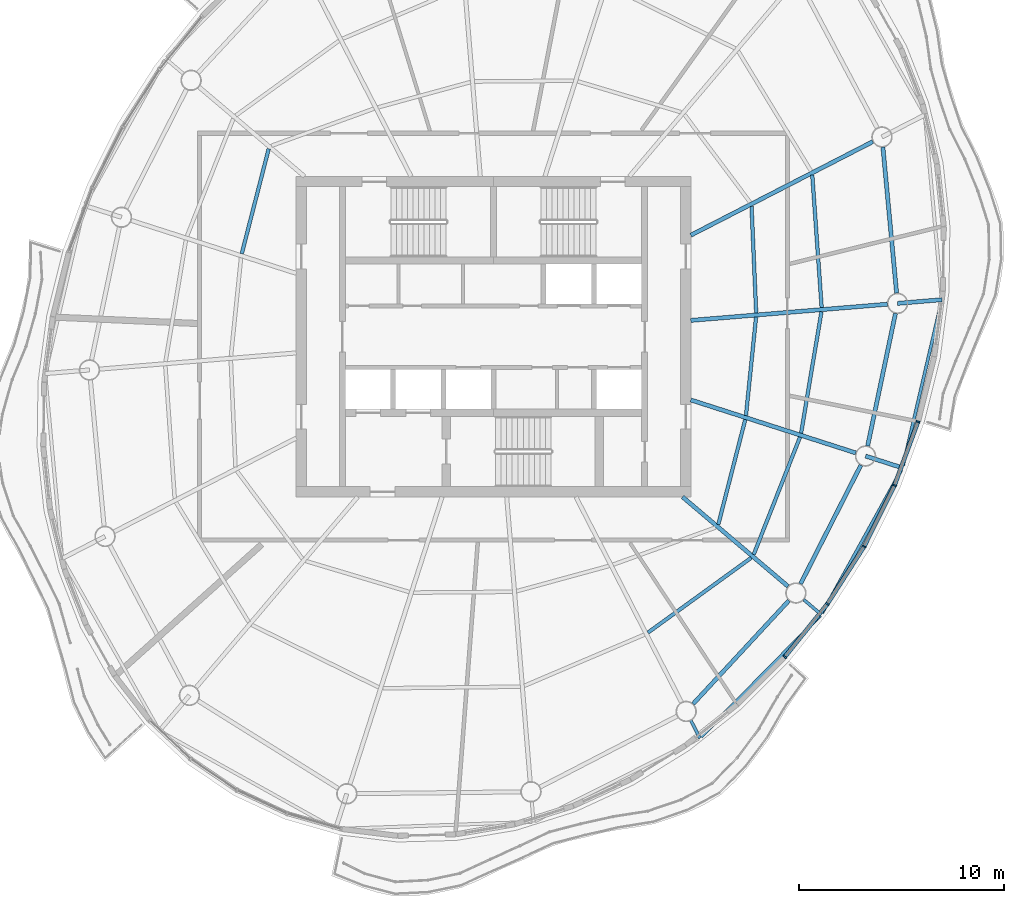
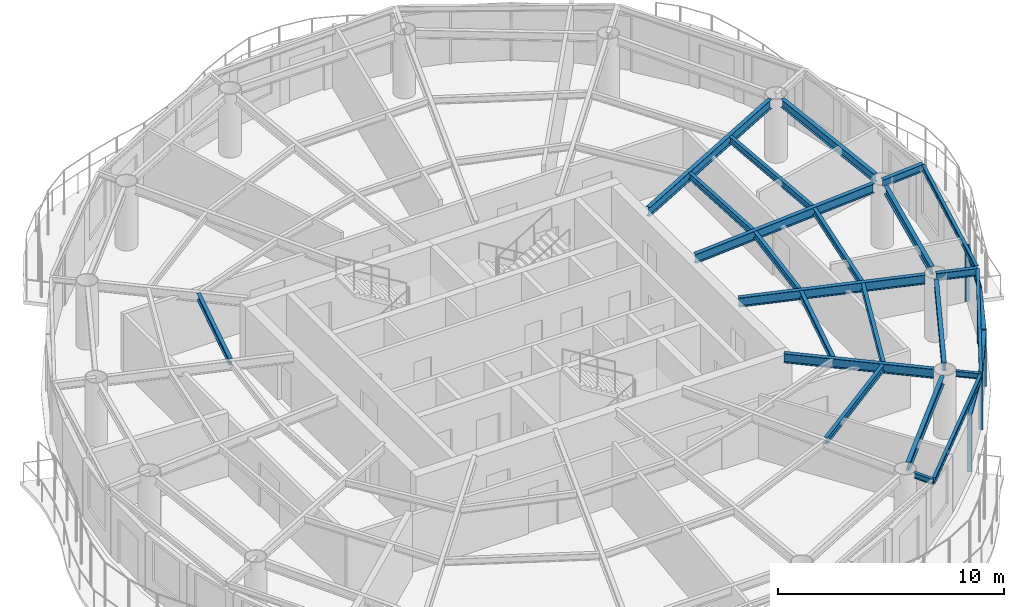
# One storey, part 3 of 13: 23 beams, 9 members, 4 elements without a shape of their own.
"""IFC4 building model written with IfcOpenShell, lengths in metres."""

from ifc_helpers import new_model, si_unit, direction, frame, origin, origin_2d, place, context, subcontext, project, spatial, rectangle, i_section, extrude, material, material_profile, profile_set, type_object, element, aggregate, save


model = new_model("IFC4")

# Units and contexts
model_context = context("Model", 3, precision=1e-05, world=origin(), true_north=direction((0.0, 1.0)))
body_context = subcontext(model_context, "Body", "Model", "MODEL_VIEW")
ifc_project = project(units=[si_unit("LENGTHUNIT", "METRE"), si_unit("AREAUNIT", "SQUARE_METRE"), si_unit("VOLUMEUNIT", "CUBIC_METRE"), si_unit("PLANEANGLEUNIT", "RADIAN"), si_unit("MASSUNIT", "GRAM", prefix="KILO")], contexts=[model_context])

# Site, building, storey
site_placement = place(None, origin())
site = spatial("IfcSite", under=ifc_project, at=site_placement, CompositionType="ELEMENT")
building_placement = place(site_placement, origin())
building = spatial("IfcBuilding", under=site, at=building_placement, Name="Vermilion Reach Broadcast Tower", CompositionType="ELEMENT")
storey_placement = place(building_placement, frame((0.0, 0.0, 275.699951171875)))
storey = spatial("IfcBuildingStorey", under=building, at=storey_placement, Name="L68", CompositionType="ELEMENT", Elevation=275.699951171875)

# Beams
ifc_material_1 = material(Name="Steel S355J2", Category="steel")
ifc_material_profile_1 = material_profile(ifc_material_1, i_section(OverallWidth=0.14990234375, OverallDepth=0.300048828125, WebThickness=0.006591796875, FlangeThickness=0.009033203125, at=origin_2d()), Name="S355J2 HN 300x150x6.5x9")
ifc_profile_set_1 = profile_set([ifc_material_profile_1], Name="Steel S355J2")
beam_type_1 = type_object("IfcBeamType", Name="EB5 HN 300x150x6.5x9", PredefinedType="BEAM", material=ifc_profile_set_1)
beam_1_placement = place(storey_placement, frame((4.10205078125, -19.48388671875, 3.300048828125), z_axis=(0.701048969019, 0.713113134809, 0.0), x_axis=(-0.713113134809, 0.701048969019, 0.0)))
element("IfcBeam", 1, at=beam_1_placement, inside=storey, type_object=beam_type_1, Name="Edge beam EB5-11", PredefinedType="BEAM", context=body_context, shape_type="SweptSolid", body=[
    extrude(i_section(OverallWidth=0.14990234375, OverallDepth=0.300048828125, WebThickness=0.006591796875, FlangeThickness=0.009033203125, at=origin_2d()), origin(), (0.0, 0.0, 1.0), 8.27685546875),
])
beam_2_placement = place(storey_placement, frame((9.994140625, -13.4609375, 3.300048828125), z_axis=(0.484141112457, 0.874989933216, 0.0), x_axis=(-0.874989933216, 0.484141112457, 0.0)))
element("IfcBeam", 2, at=beam_2_placement, inside=storey, type_object=beam_type_1, Name="Edge beam EB5-12", PredefinedType="BEAM", context=body_context, shape_type="SweptSolid", body=[
    extrude(i_section(OverallWidth=0.14990234375, OverallDepth=0.300048828125, WebThickness=0.006591796875, FlangeThickness=0.009033203125, at=origin_2d()), origin(), (0.0, 0.0, 1.0), 7.981689453125),
])
beam_3_placement = place(storey_placement, frame((13.9306640625, -6.290283203125, 3.300048828125), z_axis=(0.227615436944, 0.973751104166, 0.0), x_axis=(-0.973751104166, 0.227615436944, 0.0)))
element("IfcBeam", 3, at=beam_3_placement, inside=storey, type_object=beam_type_1, Name="Edge beam EB5-13", PredefinedType="BEAM", context=body_context, shape_type="SweptSolid", body=[
    extrude(i_section(OverallWidth=0.14990234375, OverallDepth=0.300048828125, WebThickness=0.006591796875, FlangeThickness=0.009033203125, at=origin_2d()), origin(), (0.0, 0.0, 1.0), 8.201171875),
])
ifc_material_2 = material(Name="Steel S355J2", Category="steel")
ifc_material_profile_2 = material_profile(ifc_material_2, i_section(OverallWidth=0.199951171875, OverallDepth=0.5, WebThickness=0.010009765625, FlangeThickness=0.01611328125, at=origin_2d()), Name="S355J2 HN 500x200x10x16")
ifc_profile_set_2 = profile_set([ifc_material_profile_2], Name="Steel S355J2")
beam_type_2 = type_object("IfcBeamType", Name="G5 HN 500x200x10x16", PredefinedType="BEAM", material=ifc_profile_set_2)
beam_4_placement = place(storey_placement, frame((3.20068359375, -7.800048828125, 3.199951171875), z_axis=(0.762793125612, -0.646642596431, 0.0), x_axis=(0.646642596431, 0.762793125612, 0.0)))
element("IfcBeam", 4, at=beam_4_placement, inside=storey, type_object=beam_type_2, Name="Girder G5-12", PredefinedType="BEAM", context=body_context, shape_type="SweptSolid", body=[
    extrude(i_section(OverallWidth=0.199951171875, OverallDepth=0.5, WebThickness=0.010009765625, FlangeThickness=0.01611328125, at=origin_2d()), origin(), (0.0, 0.0, 1.0), 6.732421875),
])
beam_5_placement = place(storey_placement, frame((3.60009765625, -3.080322265625, 3.199951171875), z_axis=(0.952178453449, -0.305542456604, 0.0), x_axis=(0.305542456604, 0.952178453449, 0.0)))
element("IfcBeam", 5, at=beam_5_placement, inside=storey, type_object=beam_type_2, Name="Girder G5-13", PredefinedType="BEAM", context=body_context, shape_type="SweptSolid", body=[
    extrude(i_section(OverallWidth=0.199951171875, OverallDepth=0.5, WebThickness=0.010009765625, FlangeThickness=0.01611328125, at=origin_2d()), origin(), (0.0, 0.0, 1.0), 8.43310546875),
])
beam_6_placement = place(storey_placement, frame((3.60009765625, 0.791015625, 3.199951171875), z_axis=(0.996624410075, 0.082096195058, 0.0), x_axis=(-0.082096195058, 0.996624410075, 0.0)))
element("IfcBeam", 6, at=beam_6_placement, inside=storey, type_object=beam_type_2, Name="Girder G5-14", PredefinedType="BEAM", context=body_context, shape_type="SweptSolid", body=[
    extrude(i_section(OverallWidth=0.199951171875, OverallDepth=0.5, WebThickness=0.010009765625, FlangeThickness=0.01611328125, at=origin_2d()), origin(), (0.0, 0.0, 1.0), 9.599609375),
])
beam_7_placement = place(storey_placement, frame((3.60009765625, 4.935791015625, 3.199951171875), z_axis=(0.889332502449, 0.457261085254, 0.0), x_axis=(-0.457261085254, 0.889332502449, 0.0)))
element("IfcBeam", 7, at=beam_7_placement, inside=storey, type_object=beam_type_2, Name="Girder G5-15", PredefinedType="BEAM", context=body_context, shape_type="SweptSolid", body=[
    extrude(i_section(OverallWidth=0.199951171875, OverallDepth=0.5, WebThickness=0.010009765625, FlangeThickness=0.01611328125, at=origin_2d()), origin(), (0.0, 0.0, 1.0), 9.96337890625),
])
ifc_material_3 = material(Name="Steel S355J2", Category="steel")
ifc_material_profile_3 = material_profile(ifc_material_3, i_section(OverallWidth=0.199951171875, OverallDepth=0.39990234375, WebThickness=0.008056640625, FlangeThickness=0.012939453125, at=origin_2d()), Name="S355J2 HN 400x200x8x13")
ifc_profile_set_3 = profile_set([ifc_material_profile_3], Name="Steel S355J2")
beam_type_3 = type_object("IfcBeamType", Name="GC5 HN 400x200x8x13", PredefinedType="BEAM", material=ifc_profile_set_3)
beam_8_placement = place(storey_placement, frame((12.10595703125, -5.809814453125, 3.25), z_axis=(0.952196201067, -0.305487143223, 0.0), x_axis=(0.305487143223, 0.952196201067, 0.0)))
element("IfcBeam", 8, at=beam_8_placement, inside=storey, type_object=beam_type_3, Name="Cantilever girder GC5-13", PredefinedType="BEAM", context=body_context, shape_type="SweptSolid", body=[
    extrude(i_section(OverallWidth=0.199951171875, OverallDepth=0.39990234375, WebThickness=0.008056640625, FlangeThickness=0.012939453125, at=origin_2d()), origin(), (0.0, 0.0, 1.0), 1.892578125),
])
beam_9_placement = place(storey_placement, frame((13.665771484375, 1.620361328125, 3.25), z_axis=(0.996627016966, 0.082064542002, 0.0), x_axis=(-0.082064542002, 0.996627016966, 0.0)))
element("IfcBeam", 9, at=beam_9_placement, inside=storey, type_object=beam_type_3, Name="Cantilever girder GC5-14", PredefinedType="BEAM", context=body_context, shape_type="SweptSolid", body=[
    extrude(i_section(OverallWidth=0.199951171875, OverallDepth=0.39990234375, WebThickness=0.008056640625, FlangeThickness=0.012939453125, at=origin_2d()), origin(), (0.0, 0.0, 1.0), 2.162841796875),
])
ifc_material_4 = material(Name="Steel S355J2", Category="steel")
ifc_material_profile_4 = material_profile(ifc_material_4, i_section(OverallWidth=0.14990234375, OverallDepth=0.300048828125, WebThickness=0.006591796875, FlangeThickness=0.009033203125, at=origin_2d()), Name="S355J2 HN 300x150x6.5x9")
ifc_profile_set_4 = profile_set([ifc_material_profile_4], Name="Steel S355J2")
beam_type_4 = type_object("IfcBeamType", Name="GS5 HN 300x150x6.5x9", PredefinedType="BEAM", material=ifc_profile_set_4)
beam_10_placement = place(storey_placement, frame((3.58935546875, -18.65087890625, 3.300048828125), z_axis=(0.457243204998, -0.889341695572, 0.0), x_axis=(0.889341695572, 0.457243204998, 0.0)))
element("IfcBeam", 10, at=beam_10_placement, inside=storey, type_object=beam_type_4, Name="Cantilever stub GS5-11", PredefinedType="BEAM", context=body_context, shape_type="SweptSolid", body=[
    extrude(i_section(OverallWidth=0.14990234375, OverallDepth=0.300048828125, WebThickness=0.006591796875, FlangeThickness=0.009033203125, at=origin_2d()), origin(), (0.0, 0.0, 1.0), 1.0),
])
beam_11_placement = place(storey_placement, frame((9.098876953125, -12.80029296875, 3.300048828125), z_axis=(0.762859323173, -0.6465645003, 0.0), x_axis=(0.6465645003, 0.762859323173, 0.0)))
element("IfcBeam", 11, at=beam_11_placement, inside=storey, type_object=beam_type_4, Name="Cantilever stub GS5-12", PredefinedType="BEAM", context=body_context, shape_type="SweptSolid", body=[
    extrude(i_section(OverallWidth=0.14990234375, OverallDepth=0.300048828125, WebThickness=0.006591796875, FlangeThickness=0.009033203125, at=origin_2d()), origin(), (0.0, 0.0, 1.0), 1.125244140625),
])
ifc_material_5 = material(Name="Steel S355J2", Category="steel")
ifc_material_profile_5 = material_profile(ifc_material_5, i_section(OverallWidth=0.199951171875, OverallDepth=0.449951171875, WebThickness=0.009033203125, FlangeThickness=0.013916015625, at=origin_2d()), Name="S355J2 HN 450x200x9x14")
ifc_profile_set_5 = profile_set([ifc_material_profile_5], Name="Steel S355J2")
beam_type_5 = type_object("IfcBeamType", Name="RB5 HN 450x200x9x14", PredefinedType="BEAM", material=ifc_profile_set_5)
beam_12_placement = place(storey_placement, frame((3.716796875, -17.87109375, 3.22509765625), z_axis=(0.679837550075, 0.733362738014, 0.0), x_axis=(-0.733362738014, 0.679837550075, 0.0)))
element("IfcBeam", 12, at=beam_12_placement, inside=storey, type_object=beam_type_5, Name="Ring beam RB5-11", PredefinedType="BEAM", context=body_context, shape_type="SweptSolid", body=[
    extrude(i_section(OverallWidth=0.199951171875, OverallDepth=0.449951171875, WebThickness=0.009033203125, FlangeThickness=0.013916015625, at=origin_2d()), origin(), (0.0, 0.0, 1.0), 6.85546875),
])
beam_13_placement = place(storey_placement, frame((8.944091796875, -12.03125, 3.22509765625), z_axis=(0.453052302855, 0.891483937532, 0.0), x_axis=(-0.891483937532, 0.453052302855, 0.0)))
element("IfcBeam", 13, at=beam_13_placement, inside=storey, type_object=beam_type_5, Name="Ring beam RB5-12", PredefinedType="BEAM", context=body_context, shape_type="SweptSolid", body=[
    extrude(i_section(OverallWidth=0.199951171875, OverallDepth=0.449951171875, WebThickness=0.009033203125, FlangeThickness=0.013916015625, at=origin_2d()), origin(), (0.0, 0.0, 1.0), 6.47900390625),
])
beam_14_placement = place(storey_placement, frame((12.208740234375, -5.3203125, 3.22509765625), z_axis=(0.205444869285, 0.978668690459, 0.0), x_axis=(-0.978668690459, 0.205444869285, 0.0)))
element("IfcBeam", 14, at=beam_14_placement, inside=storey, type_object=beam_type_5, Name="Ring beam RB5-13", PredefinedType="BEAM", context=body_context, shape_type="SweptSolid", body=[
    extrude(i_section(OverallWidth=0.199951171875, OverallDepth=0.449951171875, WebThickness=0.009033203125, FlangeThickness=0.013916015625, at=origin_2d()), origin(), (0.0, 0.0, 1.0), 6.591796875),
])
beam_15_placement = place(storey_placement, frame((13.618896484375, 2.1181640625, 3.22509765625), z_axis=(-0.093441399272, 0.995624781181, 0.0), x_axis=(-0.995624781181, -0.093441399272, 0.0)))
element("IfcBeam", 15, at=beam_15_placement, inside=storey, type_object=beam_type_5, Name="Ring beam RB5-14", PredefinedType="BEAM", context=body_context, shape_type="SweptSolid", body=[
    extrude(i_section(OverallWidth=0.199951171875, OverallDepth=0.449951171875, WebThickness=0.009033203125, FlangeThickness=0.013916015625, at=origin_2d()), origin(), (0.0, 0.0, 1.0), 7.135498046875),
])
ifc_material_6 = material(Name="Steel S355J2", Category="steel")
ifc_material_profile_6 = material_profile(ifc_material_6, i_section(OverallWidth=0.175048828125, OverallDepth=0.35009765625, WebThickness=0.007080078125, FlangeThickness=0.010986328125, at=origin_2d()), Name="S355J2 HN 350x175x7x11")
ifc_profile_set_6 = profile_set([ifc_material_profile_6], Name="Steel S355J2")
beam_type_6 = type_object("IfcBeamType", Name="SB5 HN 350x175x7x11", PredefinedType="BEAM", material=ifc_profile_set_6)
beam_16_placement = place(storey_placement, frame((-16.940185546875, 9.1435546875, 3.275146484375), z_axis=(-0.248729575729, -0.968572969971, 0.0), x_axis=(0.968572969971, -0.248729575729, 0.0)))
element("IfcBeam", 16, at=beam_16_placement, inside=storey, type_object=beam_type_6, Name="Secondary beam SB5-04-1", PredefinedType="BEAM", context=body_context, shape_type="SweptSolid", body=[
    extrude(i_section(OverallWidth=0.175048828125, OverallDepth=0.35009765625, WebThickness=0.007080078125, FlangeThickness=0.010986328125, at=origin_2d()), origin(), (0.0, 0.0, 1.0), 5.27294921875),
])
beam_17_placement = place(storey_placement, frame((1.517578125, -14.402587890625, 3.275146484375), z_axis=(0.809771251518, 0.586745703192, 0.0), x_axis=(-0.586745703192, 0.809771251518, 0.0)))
element("IfcBeam", 17, at=beam_17_placement, inside=storey, type_object=beam_type_6, Name="Secondary beam SB5-11-2", PredefinedType="BEAM", context=body_context, shape_type="SweptSolid", body=[
    extrude(i_section(OverallWidth=0.175048828125, OverallDepth=0.35009765625, WebThickness=0.007080078125, FlangeThickness=0.010986328125, at=origin_2d()), origin(), (0.0, 0.0, 1.0), 6.20361328125),
])
beam_18_placement = place(storey_placement, frame((4.940185546875, -9.1435546875, 3.275146484375), z_axis=(0.248729575729, 0.968572969971, 0.0), x_axis=(-0.968572969971, 0.248729575729, 0.0)))
element("IfcBeam", 18, at=beam_18_placement, inside=storey, type_object=beam_type_6, Name="Secondary beam SB5-12-1", PredefinedType="BEAM", context=body_context, shape_type="SweptSolid", body=[
    extrude(i_section(OverallWidth=0.175048828125, OverallDepth=0.35009765625, WebThickness=0.007080078125, FlangeThickness=0.010986328125, at=origin_2d()), origin(), (0.0, 0.0, 1.0), 5.27294921875),
])
beam_19_placement = place(storey_placement, frame((6.6630859375, -10.604248046875, 3.275146484375), z_axis=(0.366931189603, 0.930248086317, 0.0), x_axis=(-0.930248086317, 0.366931189603, 0.0)))
element("IfcBeam", 19, at=beam_19_placement, inside=storey, type_object=beam_type_6, Name="Secondary beam SB5-12-2", PredefinedType="BEAM", context=body_context, shape_type="SweptSolid", body=[
    extrude(i_section(OverallWidth=0.175048828125, OverallDepth=0.35009765625, WebThickness=0.007080078125, FlangeThickness=0.010986328125, at=origin_2d()), origin(), (0.0, 0.0, 1.0), 6.141357421875),
])
beam_20_placement = place(storey_placement, frame((6.287109375, -3.837646484375, 3.275146484375), z_axis=(0.102113775264, 0.994772726255, 0.0), x_axis=(-0.994772726255, 0.102113775264, 0.0)))
element("IfcBeam", 20, at=beam_20_placement, inside=storey, type_object=beam_type_6, Name="Secondary beam SB5-13-1", PredefinedType="BEAM", context=body_context, shape_type="SweptSolid", body=[
    extrude(i_section(OverallWidth=0.175048828125, OverallDepth=0.35009765625, WebThickness=0.007080078125, FlangeThickness=0.010986328125, at=origin_2d()), origin(), (0.0, 0.0, 1.0), 4.815185546875),
])
beam_21_placement = place(storey_placement, frame((8.969970703125, -4.698486328125, 3.275146484375), z_axis=(0.16532337011, 0.986239414795, 0.0), x_axis=(-0.986239414795, 0.16532337011, 0.0)))
element("IfcBeam", 21, at=beam_21_placement, inside=storey, type_object=beam_type_6, Name="Secondary beam SB5-13-2", PredefinedType="BEAM", context=body_context, shape_type="SweptSolid", body=[
    extrude(i_section(OverallWidth=0.175048828125, OverallDepth=0.35009765625, WebThickness=0.007080078125, FlangeThickness=0.010986328125, at=origin_2d()), origin(), (0.0, 0.0, 1.0), 5.99560546875),
])
beam_22_placement = place(storey_placement, frame((6.78466796875, 1.153564453125, 3.275146484375), z_axis=(-0.043557530017, 0.999050920413, 0.0), x_axis=(-0.999050920413, -0.043557530017, 0.0)))
element("IfcBeam", 22, at=beam_22_placement, inside=storey, type_object=beam_type_6, Name="Secondary beam SB5-14-1", PredefinedType="BEAM", context=body_context, shape_type="SweptSolid", body=[
    extrude(i_section(OverallWidth=0.175048828125, OverallDepth=0.35009765625, WebThickness=0.007080078125, FlangeThickness=0.010986328125, at=origin_2d()), origin(), (0.0, 0.0, 1.0), 5.19580078125),
])
beam_23_placement = place(storey_placement, frame((9.97119140625, 1.416259765625, 3.275146484375), z_axis=(-0.070586780458, 0.997505642302, 0.0), x_axis=(-0.997505642302, -0.070586780458, 0.0)))
element("IfcBeam", 23, at=beam_23_placement, inside=storey, type_object=beam_type_6, Name="Secondary beam SB5-14-2", PredefinedType="BEAM", context=body_context, shape_type="SweptSolid", body=[
    extrude(i_section(OverallWidth=0.175048828125, OverallDepth=0.35009765625, WebThickness=0.007080078125, FlangeThickness=0.010986328125, at=origin_2d()), origin(), (0.0, 0.0, 1.0), 6.46435546875),
])

# Curtain wall, member
ifc_material_7 = material(Name="Low-e laminated clear glass in aluminium frame", Category="aluminium")
curtain_wall_type = type_object("IfcCurtainWallType", Name="Slot curtain wall", PredefinedType="NOTDEFINED", material=ifc_material_7)
placement = place(storey_placement, origin())
curtain_wall_1 = element("IfcCurtainWall", 24, at=placement, inside=storey, type_object=curtain_wall_type, Name="Slot curtain wall L68 34", PredefinedType="NOTDEFINED")
ifc_material_8 = material(Name="Anodised aluminium", Category="aluminium")
ifc_material_profile_7 = material_profile(ifc_material_8, rectangle(XDim=0.199951171875, YDim=0.080078125, at=origin_2d()), Name="Slot mullion 80 x 200")
ifc_profile_set_7 = profile_set([ifc_material_profile_7], Name="Anodised aluminium")
member_type_1 = type_object("IfcMemberType", Name="Slot mullion 80 x 200", PredefinedType="MULLION", material=ifc_profile_set_7)
member_1_placement = place(storey_placement, frame((8.177734375, -15.5859375, 0.0), z_axis=(0.0, 0.0, 1.0), x_axis=(-0.744066956623, 0.66810505466, 0.0)))
member_1 = element("IfcMember", 25, at=member_1_placement, type_object=member_type_1, Name="Slot mullion L68 34", PredefinedType="MULLION", context=body_context, shape_type="SweptSolid", body=[
    extrude(rectangle(XDim=0.199951171875, YDim=0.080078125, at=origin_2d()), origin(), (0.0, 0.0, 1.0), 3.050048828125),
])

curtain_wall_2 = element("IfcCurtainWall", 26, at=placement, inside=storey, type_object=curtain_wall_type, Name="Slot curtain wall L68 35", PredefinedType="NOTDEFINED")
member_2_placement = place(storey_placement, frame((10.246337890625, -13.01123046875, 0.0), z_axis=(0.0, 0.0, 1.0), x_axis=(-0.812226836843, 0.58334172276, 0.0)))
member_2 = element("IfcMember", 27, at=member_2_placement, type_object=member_type_1, Name="Slot mullion L68 35", PredefinedType="MULLION", context=body_context, shape_type="SweptSolid", body=[
    extrude(rectangle(XDim=0.199951171875, YDim=0.080078125, at=origin_2d()), origin(), (0.0, 0.0, 1.0), 3.050048828125),
])

curtain_wall_3 = element("IfcCurtainWall", 28, at=placement, inside=storey, type_object=curtain_wall_type, Name="Slot curtain wall L68 36", PredefinedType="NOTDEFINED")
member_3_placement = place(storey_placement, frame((12.035888671875, -10.21240234375, 0.0), z_axis=(0.0, 0.0, 1.0), x_axis=(-0.870183752511, 0.49272734536, 0.0)))
member_3 = element("IfcMember", 29, at=member_3_placement, type_object=member_type_1, Name="Slot mullion L68 36", PredefinedType="MULLION", context=body_context, shape_type="SweptSolid", body=[
    extrude(rectangle(XDim=0.199951171875, YDim=0.080078125, at=origin_2d()), origin(), (0.0, 0.0, 1.0), 3.050048828125),
])

# Curtain wall, members
curtain_wall_4 = element("IfcCurtainWall", 30, at=placement, inside=storey, type_object=curtain_wall_type, Name="Slot curtain wall L68 37", PredefinedType="NOTDEFINED")
member_4_placement = place(storey_placement, frame((13.51513671875, -7.23828125, 0.0), z_axis=(0.0, 0.0, 1.0), x_axis=(-0.918072685733, 0.396412088251, 0.0)))
member_4 = element("IfcMember", 31, at=member_4_placement, type_object=member_type_1, Name="Slot mullion L68 37", PredefinedType="MULLION", context=body_context, shape_type="SweptSolid", body=[
    extrude(rectangle(XDim=0.199951171875, YDim=0.080078125, at=origin_2d()), origin(), (0.0, 0.0, 1.0), 3.050048828125),
])
member_5_placement = place(storey_placement, frame((14.658935546875, -4.139892578125, 0.0), z_axis=(0.0, 0.0, 1.0), x_axis=(-0.955695349104, 0.294357605134, 0.0)))
member_5 = element("IfcMember", 32, at=member_5_placement, type_object=member_type_1, Name="Slot mullion L68 38", PredefinedType="MULLION", context=body_context, shape_type="SweptSolid", body=[
    extrude(rectangle(XDim=0.199951171875, YDim=0.080078125, at=origin_2d()), origin(), (0.0, 0.0, 1.0), 3.050048828125),
])

# Member
ifc_material_9 = material(Name="Anodised aluminium", Category="aluminium")
ifc_material_profile_8 = material_profile(ifc_material_9, rectangle(XDim=0.199951171875, YDim=0.10009765625, at=origin_2d()), Name="Slot transom 200 x 100")
ifc_profile_set_8 = profile_set([ifc_material_profile_8], Name="Anodised aluminium")
member_type_2 = type_object("IfcMemberType", Name="Slot transom 200 x 100", PredefinedType="USERDEFINED", material=ifc_profile_set_8)
member_6_placement = place(storey_placement, frame((8.202880859375, -15.5546875, 3.0), z_axis=(0.626273555604, 0.779603382209, 0.0), x_axis=(-0.779603382209, 0.626273555604, 0.0)))
member_6 = element("IfcMember", 33, at=member_6_placement, type_object=member_type_2, Name="Slot transom L68 34.1", ObjectType="TRANSOM", PredefinedType="USERDEFINED", context=body_context, shape_type="SweptSolid", body=[
    extrude(rectangle(XDim=0.199951171875, YDim=0.10009765625, at=origin_2d()), origin(), (0.0, 0.0, 1.0), 3.22265625),
])

aggregate(curtain_wall_1, [member_1, member_6])

member_7_placement = place(storey_placement, frame((10.267822265625, -12.977294921875, 3.0), z_axis=(0.538696756119, 0.842499735873, 0.0), x_axis=(-0.842499735873, 0.538696756119, 0.0)))
member_7 = element("IfcMember", 34, at=member_7_placement, type_object=member_type_2, Name="Slot transom L68 35.1", ObjectType="TRANSOM", PredefinedType="USERDEFINED", context=body_context, shape_type="SweptSolid", body=[
    extrude(rectangle(XDim=0.199951171875, YDim=0.10009765625, at=origin_2d()), origin(), (0.0, 0.0, 1.0), 3.24169921875),
])

aggregate(curtain_wall_2, [member_2, member_7])

member_8_placement = place(storey_placement, frame((12.0537109375, -10.1767578125, 3.0), z_axis=(0.445314748134, 0.895374097846, 0.0), x_axis=(-0.895374097846, 0.445314748134, 0.0)))
member_8 = element("IfcMember", 35, at=member_8_placement, type_object=member_type_2, Name="Slot transom L68 36.1", ObjectType="TRANSOM", PredefinedType="USERDEFINED", context=body_context, shape_type="SweptSolid", body=[
    extrude(rectangle(XDim=0.199951171875, YDim=0.10009765625, at=origin_2d()), origin(), (0.0, 0.0, 1.0), 3.24169921875),
])

aggregate(curtain_wall_3, [member_3, member_8])

member_9_placement = place(storey_placement, frame((13.529052734375, -7.20068359375, 3.0), z_axis=(0.346295103282, 0.938125632015, 0.0), x_axis=(-0.938125632015, 0.346295103282, 0.0)))
member_9 = element("IfcMember", 36, at=member_9_placement, type_object=member_type_2, Name="Slot transom L68 37.1", ObjectType="TRANSOM", PredefinedType="USERDEFINED", context=body_context, shape_type="SweptSolid", body=[
    extrude(rectangle(XDim=0.199951171875, YDim=0.10009765625, at=origin_2d()), origin(), (0.0, 0.0, 1.0), 3.22265625),
])

aggregate(curtain_wall_4, [member_4, member_5, member_9])

save(model, "model.ifc")
